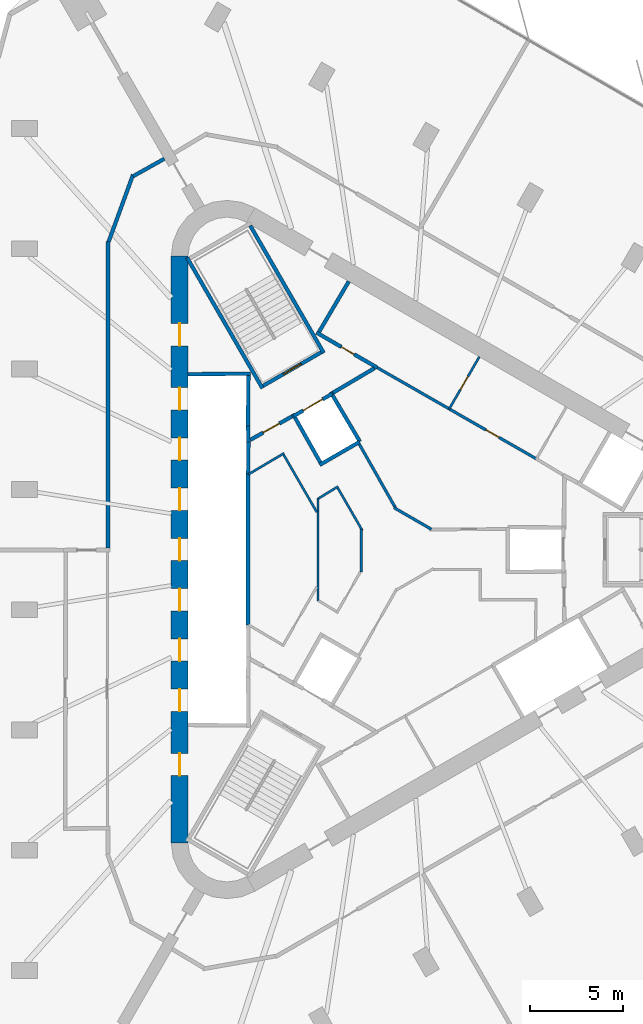
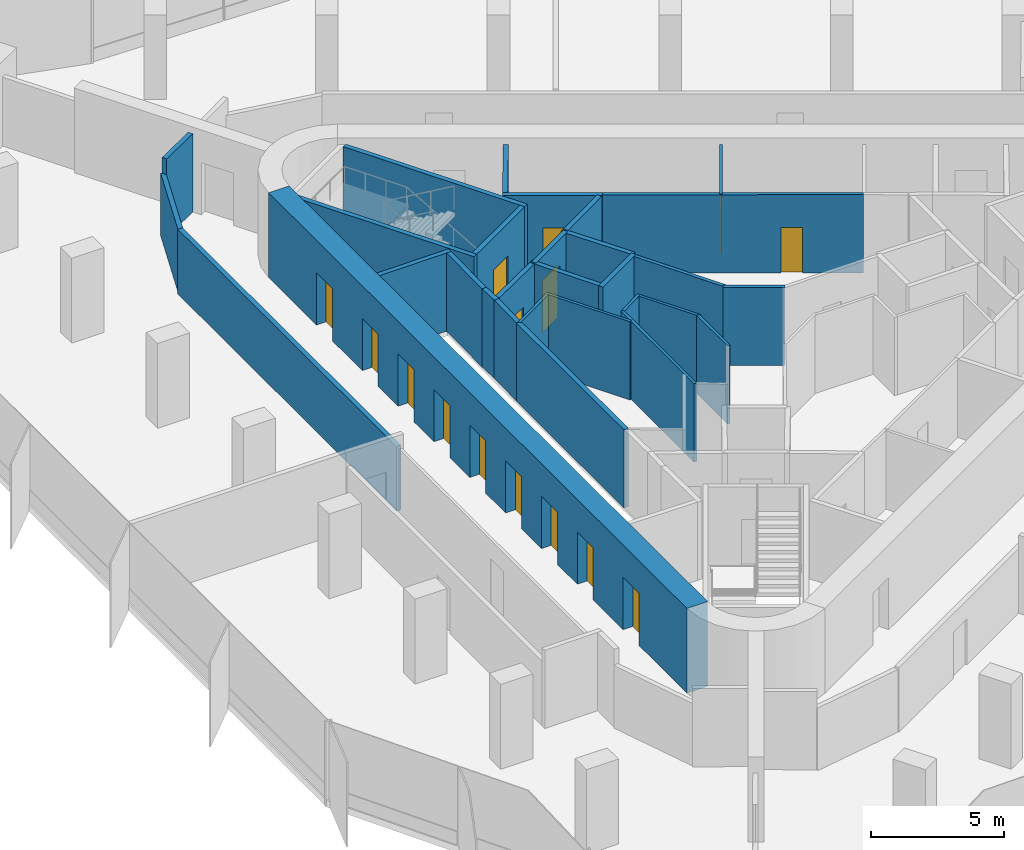
# One storey, part 9 of 12: 30 walls, 15 doors, 15 openings.
"""IFC4 building model written with IfcOpenShell, lengths in metres."""

from ifc_helpers import new_model, si_unit, direction, frame, frame_2d, origin, place, context, subcontext, project, spatial, rectangle, extrude, material, layer, layer_set, type_object, element, fill, save


model = new_model("IFC4")

# Units and contexts
model_context = context("Model", 3, precision=1e-05, world=origin(), true_north=direction((0.0, 1.0)))
body_context = subcontext(model_context, "Body", "Model", "MODEL_VIEW")
ifc_project = project(units=[si_unit("LENGTHUNIT", "METRE"), si_unit("AREAUNIT", "SQUARE_METRE"), si_unit("VOLUMEUNIT", "CUBIC_METRE"), si_unit("PLANEANGLEUNIT", "RADIAN"), si_unit("MASSUNIT", "GRAM", prefix="KILO")], contexts=[model_context])

# Site, building, storey
site_placement = place(None, origin())
site = spatial("IfcSite", under=ifc_project, at=site_placement, CompositionType="ELEMENT")
building_placement = place(site_placement, origin())
building = spatial("IfcBuilding", under=site, at=building_placement, Name="Tanit Gate Tower", CompositionType="ELEMENT")
storey_placement = place(building_placement, frame((0.0, 0.0, 333.800048828125)))
storey = spatial("IfcBuildingStorey", under=building, at=storey_placement, Name="L75", CompositionType="ELEMENT", Elevation=333.800048828125)

# Wall, openings, doors
ifc_material_1 = material(Name="Concrete C40/50", Category="concrete")
ifc_layer_1 = layer(ifc_material_1, 0.89990234375)
ifc_layer_set_1 = layer_set([ifc_layer_1], Name="CORE WALL 900 C40/50")
wall_type_1 = type_object("IfcWallType", Name="CORE WALL 900 C40/50", PredefinedType="SHEAR", material=ifc_layer_set_1)
wall_1_placement = place(storey_placement, frame((-11.64990234375, 15.76171875, 0.0), z_axis=(0.0, 0.0, 1.0), x_axis=(0.0, -1.0, 0.0)))
wall_1 = element("IfcWall", 1, at=wall_1_placement, inside=storey, type_object=wall_type_1, Name="CORE WALL", PredefinedType="SHEAR", context=body_context, shape_type="SweptSolid", body=[
    extrude(rectangle(XDim=31.5234375, YDim=0.89990234375, at=frame_2d((15.76171875, 0.0))), origin(), (0.0, 0.0, 1.0), 3.89990234375),
])
opening_1_placement = place(wall_1_placement, frame((7.061767578125, 0.0, 0.0)))
opening_1 = element("IfcOpeningElement", 2, at=opening_1_placement, cuts=wall_1, Name="Opening LDHL1-S21", PredefinedType="OPENING", context=body_context, shape_type="SweptSolid", body=[
    extrude(rectangle(XDim=1.199951171875, YDim=2.39990234375, at=frame_2d((0.60009765625, 1.199951171875))), frame((0.0, 0.4599609375, 0.0), z_axis=(0.0, -1.0, 0.0), x_axis=(1.0, 0.0, 0.0)), (0.0, 0.0, 1.0), 0.919921875),
])
opening_2_placement = place(wall_1_placement, frame((9.76171875, 0.0, 0.0)))
opening_2 = element("IfcOpeningElement", 3, at=opening_2_placement, cuts=wall_1, Name="Opening LDHL2-S21", PredefinedType="OPENING", context=body_context, shape_type="SweptSolid", body=[
    extrude(rectangle(XDim=1.199951171875, YDim=2.39990234375, at=frame_2d((0.60009765625, 1.199951171875))), frame((0.0, 0.4599609375, 0.0), z_axis=(0.0, -1.0, 0.0), x_axis=(1.0, 0.0, 0.0)), (0.0, 0.0, 1.0), 0.919921875),
])
opening_3_placement = place(wall_1_placement, frame((12.461669921875, 0.0, 0.0)))
opening_3 = element("IfcOpeningElement", 4, at=opening_3_placement, cuts=wall_1, Name="Opening LDHL3-S21", PredefinedType="OPENING", context=body_context, shape_type="SweptSolid", body=[
    extrude(rectangle(XDim=1.199951171875, YDim=2.39990234375, at=frame_2d((0.60009765625, 1.199951171875))), frame((0.0, 0.4599609375, 0.0), z_axis=(0.0, -1.0, 0.0), x_axis=(1.0, 0.0, 0.0)), (0.0, 0.0, 1.0), 0.919921875),
])
opening_4_placement = place(wall_1_placement, frame((15.16162109375, 0.0, 0.0)))
opening_4 = element("IfcOpeningElement", 5, at=opening_4_placement, cuts=wall_1, Name="Opening LDHL4-S21", PredefinedType="OPENING", context=body_context, shape_type="SweptSolid", body=[
    extrude(rectangle(XDim=1.199951171875, YDim=2.39990234375, at=frame_2d((0.60009765625, 1.199951171875))), frame((0.0, 0.4599609375, 0.0), z_axis=(0.0, -1.0, 0.0), x_axis=(1.0, 0.0, 0.0)), (0.0, 0.0, 1.0), 0.919921875),
])
opening_5_placement = place(wall_1_placement, frame((17.86181640625, 0.0, 0.0)))
opening_5 = element("IfcOpeningElement", 6, at=opening_5_placement, cuts=wall_1, Name="Opening LDHL5-S21", PredefinedType="OPENING", context=body_context, shape_type="SweptSolid", body=[
    extrude(rectangle(XDim=1.199951171875, YDim=2.39990234375, at=frame_2d((0.60009765625, 1.199951171875))), frame((0.0, 0.4599609375, 0.0), z_axis=(0.0, -1.0, 0.0), x_axis=(1.0, 0.0, 0.0)), (0.0, 0.0, 1.0), 0.919921875),
])
opening_6_placement = place(wall_1_placement, frame((20.561767578125, 0.0, 0.0)))
opening_6 = element("IfcOpeningElement", 7, at=opening_6_placement, cuts=wall_1, Name="Opening LDHL6-S21", PredefinedType="OPENING", context=body_context, shape_type="SweptSolid", body=[
    extrude(rectangle(XDim=1.199951171875, YDim=2.39990234375, at=frame_2d((0.60009765625, 1.199951171875))), frame((0.0, 0.4599609375, 0.0), z_axis=(0.0, -1.0, 0.0), x_axis=(1.0, 0.0, 0.0)), (0.0, 0.0, 1.0), 0.919921875),
])
opening_7_placement = place(wall_1_placement, frame((23.26171875, 0.0, 0.0)))
opening_7 = element("IfcOpeningElement", 8, at=opening_7_placement, cuts=wall_1, Name="Opening LDHL7-S21", PredefinedType="OPENING", context=body_context, shape_type="SweptSolid", body=[
    extrude(rectangle(XDim=1.199951171875, YDim=2.39990234375, at=frame_2d((0.60009765625, 1.199951171875))), frame((0.0, 0.4599609375, 0.0), z_axis=(0.0, -1.0, 0.0), x_axis=(1.0, 0.0, 0.0)), (0.0, 0.0, 1.0), 0.919921875),
])
opening_8_placement = place(wall_1_placement, frame((3.61181640625, 0.0, 0.0)))
opening_8 = element("IfcOpeningElement", 9, at=opening_8_placement, cuts=wall_1, Name="Opening F12-S21-FL2", PredefinedType="OPENING", context=body_context, shape_type="SweptSolid", body=[
    extrude(rectangle(XDim=1.199951171875, YDim=2.39990234375, at=frame_2d((0.60009765625, 1.199951171875))), frame((0.0, 0.4599609375, 0.0), z_axis=(0.0, -1.0, 0.0), x_axis=(1.0, 0.0, 0.0)), (0.0, 0.0, 1.0), 0.919921875),
])
opening_9_placement = place(wall_1_placement, frame((26.711669921875, 0.0, 0.0)))
opening_9 = element("IfcOpeningElement", 10, at=opening_9_placement, cuts=wall_1, Name="Opening F12-S21-S3", PredefinedType="OPENING", context=body_context, shape_type="SweptSolid", body=[
    extrude(rectangle(XDim=1.199951171875, YDim=2.39990234375, at=frame_2d((0.60009765625, 1.199951171875))), frame((0.0, 0.4599609375, 0.0), z_axis=(0.0, -1.0, 0.0), x_axis=(1.0, 0.0, 0.0)), (0.0, 0.0, 1.0), 0.919921875),
])
ifc_material_2 = material(Name="Fire-rated steel door leaf", Category="steel")
door_type_1 = type_object("IfcDoorType", Name="INT-DOOR-FIRE-LOBBY-1200", OperationType="NOTDEFINED", PredefinedType="USERDEFINED", material=ifc_material_2)
door_1_placement = place(opening_8_placement, origin())
door_1 = element("IfcDoor", 11, at=door_1_placement, inside=storey, type_object=door_type_1, Name="Door F12-S21-FL2", ObjectType="FIRE DOOR", OperationType="SINGLE_SWING_LEFT", OverallHeight=2.39990234375, OverallWidth=1.199951171875, PredefinedType="USERDEFINED", context=body_context, shape_type="SweptSolid", body=[
    extrude(rectangle(XDim=1.199951171875, YDim=2.39990234375, at=frame_2d((0.60009765625, 1.199951171875))), frame((0.0, 0.02490234375, 0.0), z_axis=(0.0, -1.0, 0.0), x_axis=(1.0, 0.0, 0.0)), (0.0, 0.0, 1.0), 0.050048828125),
])
fill(opening_8, door_1)
door_2_placement = place(opening_9_placement, origin())
door_2 = element("IfcDoor", 12, at=door_2_placement, inside=storey, type_object=door_type_1, Name="Door F12-S21-S3", ObjectType="FIRE DOOR", OperationType="SINGLE_SWING_LEFT", OverallHeight=2.39990234375, OverallWidth=1.199951171875, PredefinedType="USERDEFINED", context=body_context, shape_type="SweptSolid", body=[
    extrude(rectangle(XDim=1.199951171875, YDim=2.39990234375, at=frame_2d((0.60009765625, 1.199951171875))), frame((0.0, 0.02490234375, 0.0), z_axis=(0.0, -1.0, 0.0), x_axis=(1.0, 0.0, 0.0)), (0.0, 0.0, 1.0), 0.050048828125),
])
fill(opening_9, door_2)
ifc_material_3 = material(Name="Stainless steel sliding door leaf", Category="steel")
door_type_2 = type_object("IfcDoorType", Name="INT-DOOR-LANDING-1200", OperationType="NOTDEFINED", PredefinedType="USERDEFINED", material=ifc_material_3)
door_3_placement = place(opening_1_placement, origin())
door_3 = element("IfcDoor", 13, at=door_3_placement, inside=storey, type_object=door_type_2, Name="Door LDHL1-S21", ObjectType="LANDING DOOR", OperationType="SLIDING_TO_LEFT", OverallHeight=2.39990234375, OverallWidth=1.199951171875, PredefinedType="USERDEFINED", context=body_context, shape_type="SweptSolid", body=[
    extrude(rectangle(XDim=1.199951171875, YDim=2.39990234375, at=frame_2d((0.60009765625, 1.199951171875))), frame((0.0, 0.02490234375, 0.0), z_axis=(0.0, -1.0, 0.0), x_axis=(1.0, 0.0, 0.0)), (0.0, 0.0, 1.0), 0.050048828125),
])
fill(opening_1, door_3)
door_4_placement = place(opening_2_placement, origin())
door_4 = element("IfcDoor", 14, at=door_4_placement, inside=storey, type_object=door_type_2, Name="Door LDHL2-S21", ObjectType="LANDING DOOR", OperationType="SLIDING_TO_LEFT", OverallHeight=2.39990234375, OverallWidth=1.199951171875, PredefinedType="USERDEFINED", context=body_context, shape_type="SweptSolid", body=[
    extrude(rectangle(XDim=1.199951171875, YDim=2.39990234375, at=frame_2d((0.60009765625, 1.199951171875))), frame((0.0, 0.02490234375, 0.0), z_axis=(0.0, -1.0, 0.0), x_axis=(1.0, 0.0, 0.0)), (0.0, 0.0, 1.0), 0.050048828125),
])
fill(opening_2, door_4)
door_5_placement = place(opening_3_placement, origin())
door_5 = element("IfcDoor", 15, at=door_5_placement, inside=storey, type_object=door_type_2, Name="Door LDHL3-S21", ObjectType="LANDING DOOR", OperationType="SLIDING_TO_LEFT", OverallHeight=2.39990234375, OverallWidth=1.199951171875, PredefinedType="USERDEFINED", context=body_context, shape_type="SweptSolid", body=[
    extrude(rectangle(XDim=1.199951171875, YDim=2.39990234375, at=frame_2d((0.60009765625, 1.199951171875))), frame((0.0, 0.02490234375, 0.0), z_axis=(0.0, -1.0, 0.0), x_axis=(1.0, 0.0, 0.0)), (0.0, 0.0, 1.0), 0.050048828125),
])
fill(opening_3, door_5)
door_6_placement = place(opening_4_placement, origin())
door_6 = element("IfcDoor", 16, at=door_6_placement, inside=storey, type_object=door_type_2, Name="Door LDHL4-S21", ObjectType="LANDING DOOR", OperationType="SLIDING_TO_LEFT", OverallHeight=2.39990234375, OverallWidth=1.199951171875, PredefinedType="USERDEFINED", context=body_context, shape_type="SweptSolid", body=[
    extrude(rectangle(XDim=1.199951171875, YDim=2.39990234375, at=frame_2d((0.60009765625, 1.199951171875))), frame((0.0, 0.02490234375, 0.0), z_axis=(0.0, -1.0, 0.0), x_axis=(1.0, 0.0, 0.0)), (0.0, 0.0, 1.0), 0.050048828125),
])
fill(opening_4, door_6)
door_7_placement = place(opening_5_placement, origin())
door_7 = element("IfcDoor", 17, at=door_7_placement, inside=storey, type_object=door_type_2, Name="Door LDHL5-S21", ObjectType="LANDING DOOR", OperationType="SLIDING_TO_LEFT", OverallHeight=2.39990234375, OverallWidth=1.199951171875, PredefinedType="USERDEFINED", context=body_context, shape_type="SweptSolid", body=[
    extrude(rectangle(XDim=1.199951171875, YDim=2.39990234375, at=frame_2d((0.60009765625, 1.199951171875))), frame((0.0, 0.02490234375, 0.0), z_axis=(0.0, -1.0, 0.0), x_axis=(1.0, 0.0, 0.0)), (0.0, 0.0, 1.0), 0.050048828125),
])
fill(opening_5, door_7)
door_8_placement = place(opening_6_placement, origin())
door_8 = element("IfcDoor", 18, at=door_8_placement, inside=storey, type_object=door_type_2, Name="Door LDHL6-S21", ObjectType="LANDING DOOR", OperationType="SLIDING_TO_LEFT", OverallHeight=2.39990234375, OverallWidth=1.199951171875, PredefinedType="USERDEFINED", context=body_context, shape_type="SweptSolid", body=[
    extrude(rectangle(XDim=1.199951171875, YDim=2.39990234375, at=frame_2d((0.60009765625, 1.199951171875))), frame((0.0, 0.02490234375, 0.0), z_axis=(0.0, -1.0, 0.0), x_axis=(1.0, 0.0, 0.0)), (0.0, 0.0, 1.0), 0.050048828125),
])
fill(opening_6, door_8)
door_9_placement = place(opening_7_placement, origin())
door_9 = element("IfcDoor", 19, at=door_9_placement, inside=storey, type_object=door_type_2, Name="Door LDHL7-S21", ObjectType="LANDING DOOR", OperationType="SLIDING_TO_LEFT", OverallHeight=2.39990234375, OverallWidth=1.199951171875, PredefinedType="USERDEFINED", context=body_context, shape_type="SweptSolid", body=[
    extrude(rectangle(XDim=1.199951171875, YDim=2.39990234375, at=frame_2d((0.60009765625, 1.199951171875))), frame((0.0, 0.02490234375, 0.0), z_axis=(0.0, -1.0, 0.0), x_axis=(1.0, 0.0, 0.0)), (0.0, 0.0, 1.0), 0.050048828125),
])
fill(opening_7, door_9)

# Wall, opening, door
ifc_material_4 = material(Name="Fire-rated gypsum board partition")
ifc_layer_2 = layer(ifc_material_4, 0.199951171875)
ifc_layer_set_2 = layer_set([ifc_layer_2], Name="INT-WALL-COMPARTMENT")
wall_type_2 = type_object("IfcWallType", Name="INT-WALL-COMPARTMENT", PredefinedType="PARTITIONING", material=ifc_layer_set_2)
wall_2_placement = place(storey_placement, frame((-4.295654296875, 11.659912109375, 0.0), z_axis=(0.0, 0.0, 1.0), x_axis=(0.866027389382, -0.499996560828, 0.0)))
wall_2 = element("IfcWall", 20, at=wall_2_placement, inside=storey, type_object=wall_type_2, Name="Wall Compartment W049", PredefinedType="PARTITIONING", context=body_context, shape_type="SweptSolid", body=[
    extrude(rectangle(XDim=3.77783203125, YDim=0.199951171875, at=frame_2d((1.888916015625, 0.0))), origin(), (0.0, 0.0, 1.0), 3.599853515625),
])
opening_10_placement = place(wall_2_placement, frame((1.538818359375, 0.0, 0.0)))
opening_10 = element("IfcOpeningElement", 21, at=opening_10_placement, cuts=wall_2, Name="Opening R08-S21-16", PredefinedType="OPENING", context=body_context, shape_type="SweptSolid", body=[
    extrude(rectangle(XDim=0.800048828125, YDim=2.10009765625, at=frame_2d((0.39990234375, 1.050048828125))), frame((0.0, 0.10986328125, 0.0), z_axis=(0.0, -1.0, 0.0), x_axis=(1.0, 0.0, 0.0)), (0.0, 0.0, 1.0), 0.219970703125),
])
ifc_material_5 = material(Name="Timber door leaf", Category="wood")
door_type_3 = type_object("IfcDoorType", Name="INT-DOOR-RISER-800", OperationType="NOTDEFINED", PredefinedType="USERDEFINED", material=ifc_material_5)
door_10_placement = place(opening_10_placement, origin())
door_10 = element("IfcDoor", 22, at=door_10_placement, inside=storey, type_object=door_type_3, Name="Door R08-S21-16", ObjectType="FIRE DOOR", OperationType="SINGLE_SWING_LEFT", OverallHeight=2.10009765625, OverallWidth=0.800048828125, PredefinedType="USERDEFINED", context=body_context, shape_type="SweptSolid", body=[
    extrude(rectangle(XDim=0.800048828125, YDim=2.10009765625, at=frame_2d((0.39990234375, 1.050048828125))), frame((0.0, 0.02490234375, 0.0), z_axis=(0.0, -1.0, 0.0), x_axis=(1.0, 0.0, 0.0)), (0.0, 0.0, 1.0), 0.050048828125),
])
fill(opening_10, door_10)

# Walls
wall_3_placement = place(storey_placement, frame((-2.557861328125, 14.409423828125, 0.0), z_axis=(0.0, 0.0, 1.0), x_axis=(-0.508018930956, -0.861345903683, 0.0)))
element("IfcWall", 23, at=wall_3_placement, inside=storey, type_object=wall_type_2, Name="Wall Compartment W050", PredefinedType="PARTITIONING", context=body_context, shape_type="SweptSolid", body=[
    extrude(rectangle(XDim=3.150146484375, YDim=0.199951171875, at=frame_2d((1.5751953125, 0.0))), origin(), (0.0, 0.0, 1.0), 3.599853515625),
])
wall_4_placement = place(storey_placement, frame((-1.1787109375, 9.744873046875, 0.0), z_axis=(0.0, 0.0, 1.0), x_axis=(-0.860630814782, -0.509229418482, 0.0)))
element("IfcWall", 24, at=wall_4_placement, inside=storey, type_object=wall_type_2, Name="Wall Compartment W061", PredefinedType="PARTITIONING", context=body_context, shape_type="SweptSolid", body=[
    extrude(rectangle(XDim=2.581787109375, YDim=0.199951171875, at=frame_2d((1.291015625, 0.0))), origin(), (0.0, 0.0, 1.0), 3.599853515625),
])

# Wall, opening, door
wall_5_placement = place(storey_placement, frame((-5.600341796875, 7.16015625, 0.0), z_axis=(0.0, 0.0, 1.0), x_axis=(-0.871363259478, -0.490638431059, 0.0)))
wall_5 = element("IfcWall", 25, at=wall_5_placement, inside=storey, type_object=wall_type_2, Name="Wall Compartment W062", PredefinedType="PARTITIONING", context=body_context, shape_type="SweptSolid", body=[
    extrude(rectangle(XDim=2.5810546875, YDim=0.199951171875, at=frame_2d((1.29052734375, 0.0))), origin(), (0.0, 0.0, 1.0), 3.599853515625),
])
opening_11_placement = place(wall_5_placement, frame((0.79052734375, 0.0, 0.0)))
opening_11 = element("IfcOpeningElement", 26, at=opening_11_placement, cuts=wall_5, Name="Opening F10-S21-05", PredefinedType="OPENING", context=body_context, shape_type="SweptSolid", body=[
    extrude(rectangle(XDim=1.0, YDim=2.10009765625, at=frame_2d((0.5, 1.050048828125))), frame((0.0, 0.10986328125, 0.0), z_axis=(0.0, -1.0, 0.0), x_axis=(1.0, 0.0, 0.0)), (0.0, 0.0, 1.0), 0.219970703125),
])
ifc_material_6 = material(Name="Fire-rated steel door leaf", Category="steel")
door_type_4 = type_object("IfcDoorType", Name="INT-DOOR-FIRE-1000", OperationType="NOTDEFINED", PredefinedType="USERDEFINED", material=ifc_material_6)
door_11_placement = place(opening_11_placement, origin())
door_11 = element("IfcDoor", 27, at=door_11_placement, inside=storey, type_object=door_type_4, Name="Door F10-S21-05", ObjectType="FIRE DOOR", OperationType="SINGLE_SWING_RIGHT", OverallHeight=2.10009765625, OverallWidth=1.0, PredefinedType="USERDEFINED", context=body_context, shape_type="SweptSolid", body=[
    extrude(rectangle(XDim=1.0, YDim=2.10009765625, at=frame_2d((0.5, 1.050048828125))), frame((0.0, 0.02490234375, 0.0), z_axis=(0.0, -1.0, 0.0), x_axis=(1.0, 0.0, 0.0)), (0.0, 0.0, 1.0), 0.050048828125),
])
fill(opening_11, door_11)

# Walls
wall_6_placement = place(storey_placement, frame((-15.5, 16.54052734375, 0.0), z_axis=(0.0, 0.0, 1.0), x_axis=(0.0, -1.0, 0.0)))
element("IfcWall", 28, at=wall_6_placement, inside=storey, type_object=wall_type_2, Name="Wall Compartment W091", PredefinedType="PARTITIONING", context=body_context, shape_type="SweptSolid", body=[
    extrude(rectangle(XDim=16.470458984375, YDim=0.199951171875, at=frame_2d((8.2353515625, 0.0))), origin(), (0.0, 0.0, 1.0), 2.969970703125),
])
wall_7_placement = place(storey_placement, frame((-14.15234375, 20.143310546875, 0.0), z_axis=(0.0, 0.0, 1.0), x_axis=(-0.342008467257, -0.939696870445, 0.0)))
element("IfcWall", 29, at=wall_7_placement, inside=storey, type_object=wall_type_2, Name="Wall Compartment W092", PredefinedType="PARTITIONING", context=body_context, shape_type="SweptSolid", body=[
    extrude(rectangle(XDim=3.840576171875, YDim=0.199951171875, at=frame_2d((1.92041015625, 0.0))), origin(), (0.0, 0.0, 1.0), 2.8798828125),
])
wall_8_placement = place(storey_placement, frame((-12.469970703125, 20.99853515625, 0.0), z_axis=(0.0, 0.0, 1.0), x_axis=(-0.872542788959, -0.488537697046, 0.0)))
element("IfcWall", 30, at=wall_8_placement, inside=storey, type_object=wall_type_2, Name="Wall Compartment W093", PredefinedType="PARTITIONING", context=body_context, shape_type="SweptSolid", body=[
    extrude(rectangle(XDim=1.924560546875, YDim=0.199951171875, at=frame_2d((0.96240234375, 0.0))), origin(), (0.0, 0.0, 1.0), 3.599853515625),
])

# Wall, opening, door
ifc_material_7 = material(Name="Gypsum board partition")
ifc_layer_3 = layer(ifc_material_7, 0.1201171875)
ifc_layer_set_3 = layer_set([ifc_layer_3], Name="INT-WALL-PARTITION")
wall_type_3 = type_object("IfcWallType", Name="INT-WALL-PARTITION", PredefinedType="PARTITIONING", material=ifc_layer_set_3)
wall_9_placement = place(storey_placement, frame((2.831787109375, 7.544921875, 0.0), z_axis=(0.0, 0.0, 1.0), x_axis=(0.500017246033, 0.866015446554, 0.0)))
wall_9 = element("IfcWall", 31, at=wall_9_placement, inside=storey, type_object=wall_type_3, Name="Wall Partition W047", PredefinedType="PARTITIONING", context=body_context, shape_type="SweptSolid", body=[
    extrude(rectangle(XDim=3.25, YDim=0.1201171875, at=frame_2d((1.625, 0.0))), origin(), (0.0, 0.0, 1.0), 3.599853515625),
])
opening_12_placement = place(wall_9_placement, frame((1.22509765625, 0.0, 0.0)))
opening_12 = element("IfcOpeningElement", 32, at=opening_12_placement, cuts=wall_9, Name="Opening R08-S21-15", PredefinedType="OPENING", context=body_context, shape_type="SweptSolid", body=[
    extrude(rectangle(XDim=0.800048828125, YDim=2.10009765625, at=frame_2d((0.39990234375, 1.050048828125))), frame((0.0, 0.070068359375, 0.0), z_axis=(0.0, -1.0, 0.0), x_axis=(1.0, 0.0, 0.0)), (0.0, 0.0, 1.0), 0.14013671875),
])
door_12_placement = place(opening_12_placement, origin())
door_12 = element("IfcDoor", 33, at=door_12_placement, inside=storey, type_object=door_type_3, Name="Door R08-S21-15", ObjectType="FIRE DOOR", OperationType="SINGLE_SWING_LEFT", OverallHeight=2.10009765625, OverallWidth=0.800048828125, PredefinedType="USERDEFINED", context=body_context, shape_type="SweptSolid", body=[
    extrude(rectangle(XDim=0.800048828125, YDim=2.10009765625, at=frame_2d((0.39990234375, 1.050048828125))), frame((0.0, 0.02490234375, 0.0), z_axis=(0.0, -1.0, 0.0), x_axis=(1.0, 0.0, 0.0)), (0.0, 0.0, 1.0), 0.050048828125),
])
fill(opening_12, door_12)

# Walls
wall_10_placement = place(storey_placement, frame((-4.21875, -2.760498046875, 0.0), z_axis=(0.0, 0.0, 1.0), x_axis=(0.0, 1.0, 0.0)))
element("IfcWall", 34, at=wall_10_placement, inside=storey, type_object=wall_type_3, Name="Wall Partition W074", PredefinedType="PARTITIONING", context=body_context, shape_type="SweptSolid", body=[
    extrude(rectangle(XDim=5.52099609375, YDim=0.1201171875, at=frame_2d((2.760498046875, 0.0))), origin(), (0.0, 0.0, 1.0), 3.599853515625),
])
wall_11_placement = place(storey_placement, frame((-6.03662109375, 5.17578125, 0.0), z_axis=(0.0, 0.0, 1.0), x_axis=(-0.860106072674, -0.510115225953, 0.0)))
element("IfcWall", 35, at=wall_11_placement, inside=storey, type_object=wall_type_3, Name="Wall Partition W077", PredefinedType="PARTITIONING", context=body_context, shape_type="SweptSolid", body=[
    extrude(rectangle(XDim=2.224609375, YDim=0.1201171875, at=frame_2d((1.1123046875, 0.0))), origin(), (0.0, 0.0, 1.0), 3.599853515625),
])
wall_12_placement = place(storey_placement, frame((-4.27880859375, 2.01123046875, 0.0), z_axis=(0.0, 0.0, 1.0), x_axis=(-0.500027278734, 0.866009653827, 0.0)))
element("IfcWall", 36, at=wall_12_placement, inside=storey, type_object=wall_type_3, Name="Wall Partition W078", PredefinedType="PARTITIONING", context=body_context, shape_type="SweptSolid", body=[
    extrude(rectangle(XDim=3.558837890625, YDim=0.1201171875, at=frame_2d((1.779296875, 0.0))), origin(), (0.0, 0.0, 1.0), 3.599853515625),
])
wall_13_placement = place(storey_placement, frame((-3.1298828125, 3.390869140625, 0.0), z_axis=(0.0, 0.0, 1.0), x_axis=(-0.853228335638, -0.521537541567, 0.0)))
element("IfcWall", 37, at=wall_13_placement, inside=storey, type_object=wall_type_3, Name="Wall Partition W079", PredefinedType="PARTITIONING", context=body_context, shape_type="SweptSolid", body=[
    extrude(rectangle(XDim=1.240966796875, YDim=0.1201171875, at=frame_2d((0.62060546875, 0.0))), origin(), (0.0, 0.0, 1.0), 3.599853515625),
])
wall_14_placement = place(storey_placement, frame((-1.83154296875, 1.0224609375, 0.0), z_axis=(0.0, 0.0, 1.0), x_axis=(-0.500000102728, 0.866025344474, 0.0)))
element("IfcWall", 38, at=wall_14_placement, inside=storey, type_object=wall_type_3, Name="Wall Partition W080", PredefinedType="PARTITIONING", context=body_context, shape_type="SweptSolid", body=[
    extrude(rectangle(XDim=2.638671875, YDim=0.1201171875, at=frame_2d((1.3193359375, 0.0))), origin(), (0.0, 0.0, 1.0), 3.599853515625),
])
wall_15_placement = place(storey_placement, frame((-1.883544921875, -1.21630859375, 0.0), z_axis=(0.0, 0.0, 1.0), x_axis=(0.0, 1.0, 0.0)))
element("IfcWall", 39, at=wall_15_placement, inside=storey, type_object=wall_type_3, Name="Wall Partition W081", PredefinedType="PARTITIONING", context=body_context, shape_type="SweptSolid", body=[
    extrude(rectangle(XDim=2.310302734375, YDim=0.1201171875, at=frame_2d((1.1552734375, 0.0))), origin(), (0.0, 0.0, 1.0), 3.599853515625),
])

# Wall, opening, door
ifc_material_8 = material(Name="Fire-rated gypsum board partition")
ifc_layer_4 = layer(ifc_material_8, 0.14990234375)
ifc_layer_set_4 = layer_set([ifc_layer_4], Name="INT-WALL-RISER")
wall_type_4 = type_object("IfcWallType", Name="INT-WALL-RISER", PredefinedType="PLUMBINGWALL", material=ifc_layer_set_4)
wall_16_placement = place(storey_placement, frame((7.497314453125, 4.885986328125, 0.0), z_axis=(0.0, 0.0, 1.0), x_axis=(-0.867541725638, 0.497364407931, 0.0)))
wall_16 = element("IfcWall", 40, at=wall_16_placement, inside=storey, type_object=wall_type_4, Name="Wall Riser W048", PredefinedType="PLUMBINGWALL", context=body_context, shape_type="SweptSolid", body=[
    extrude(rectangle(XDim=9.822265625, YDim=0.14990234375, at=frame_2d((4.9111328125, 0.0))), origin(), (0.0, 0.0, 1.0), 3.599853515625),
])
opening_13_placement = place(wall_16_placement, frame((2.300048828125, 0.0, 0.0)))
opening_13 = element("IfcOpeningElement", 41, at=opening_13_placement, cuts=wall_16, Name="Opening R08-S21-20", PredefinedType="OPENING", context=body_context, shape_type="SweptSolid", body=[
    extrude(rectangle(XDim=0.800048828125, YDim=2.10009765625, at=frame_2d((0.39990234375, 1.050048828125))), frame((0.0, 0.0849609375, 0.0), z_axis=(0.0, -1.0, 0.0), x_axis=(1.0, 0.0, 0.0)), (0.0, 0.0, 1.0), 0.169921875),
])
door_13_placement = place(opening_13_placement, origin())
door_13 = element("IfcDoor", 42, at=door_13_placement, inside=storey, type_object=door_type_3, Name="Door R08-S21-20", ObjectType="FIRE DOOR", OperationType="SINGLE_SWING_LEFT", OverallHeight=2.10009765625, OverallWidth=0.800048828125, PredefinedType="USERDEFINED", context=body_context, shape_type="SweptSolid", body=[
    extrude(rectangle(XDim=0.800048828125, YDim=2.10009765625, at=frame_2d((0.39990234375, 1.050048828125))), frame((0.0, 0.02490234375, 0.0), z_axis=(0.0, -1.0, 0.0), x_axis=(1.0, 0.0, 0.0)), (0.0, 0.0, 1.0), 0.050048828125),
])
fill(opening_13, door_13)

# Walls
wall_17_placement = place(storey_placement, frame((-0.13232421875, 2.25146484375, 0.0), z_axis=(0.0, 0.0, 1.0), x_axis=(0.866028486751, -0.499994660107, 0.0)))
element("IfcWall", 43, at=wall_17_placement, inside=storey, type_object=wall_type_4, Name="Wall Riser W066", PredefinedType="PLUMBINGWALL", context=body_context, shape_type="SweptSolid", body=[
    extrude(rectangle(XDim=2.3291015625, YDim=0.14990234375, at=frame_2d((1.16455078125, 0.0))), origin(), (0.0, 0.0, 1.0), 3.599853515625),
])
wall_18_placement = place(storey_placement, frame((-1.994140625, 5.661376953125, 0.0), z_axis=(0.0, 0.0, 1.0), x_axis=(0.493780191404, -0.869586753911, 0.0)))
element("IfcWall", 44, at=wall_18_placement, inside=storey, type_object=wall_type_4, Name="Wall Riser W067", PredefinedType="PLUMBINGWALL", context=body_context, shape_type="SweptSolid", body=[
    extrude(rectangle(XDim=3.97119140625, YDim=0.14990234375, at=frame_2d((1.985595703125, 0.0))), origin(), (0.0, 0.0, 1.0), 3.599853515625),
])
ifc_material_9 = material(Name="Gypsum shaft wall system")
ifc_layer_5 = layer(ifc_material_9, 0.199951171875)
ifc_layer_set_5 = layer_set([ifc_layer_5], Name="INT-WALL-SHAFT")
wall_type_5 = type_object("IfcWallType", Name="INT-WALL-SHAFT", PredefinedType="PLUMBINGWALL", material=ifc_layer_set_5)
wall_19_placement = place(storey_placement, frame((-11.199951171875, 9.419921875, 0.0), z_axis=(0.0, 0.0, 1.0), x_axis=(0.999957167047, 0.009255488683, 0.0)))
element("IfcWall", 45, at=wall_19_placement, inside=storey, type_object=wall_type_5, Name="Wall Shaft W001", PredefinedType="PLUMBINGWALL", context=body_context, shape_type="SweptSolid", body=[
    extrude(rectangle(XDim=3.35009765625, YDim=0.199951171875, at=frame_2d((1.675048828125, 0.0))), origin(), (0.0, 0.0, 1.0), 3.599853515625),
])
wall_20_placement = place(storey_placement, frame((-7.951171875, 9.35009765625, 0.0), z_axis=(0.0, 0.0, 1.0), x_axis=(-0.011120469654, -0.999938165666, 0.0)))
element("IfcWall", 46, at=wall_20_placement, inside=storey, type_object=wall_type_5, Name="Wall Shaft W002", PredefinedType="PLUMBINGWALL", context=body_context, shape_type="SweptSolid", body=[
    extrude(rectangle(XDim=2.700439453125, YDim=0.199951171875, at=frame_2d((1.35009765625, 0.0))), origin(), (0.0, 0.0, 1.0), 3.599853515625),
])
wall_21_placement = place(storey_placement, frame((-7.97705078125, 6.650146484375, 0.0), z_axis=(0.0, 0.0, 1.0), x_axis=(0.030861509705, -0.999523670164, 0.0)))
element("IfcWall", 47, at=wall_21_placement, inside=storey, type_object=wall_type_5, Name="Wall Shaft W003", PredefinedType="PLUMBINGWALL", context=body_context, shape_type="SweptSolid", body=[
    extrude(rectangle(XDim=0.878173828125, YDim=0.199951171875, at=frame_2d((0.43896484375, 0.0))), origin(), (0.0, 0.0, 1.0), 3.599853515625),
])
wall_22_placement = place(storey_placement, frame((-7.94921875, 5.894775390625, 0.0), z_axis=(0.0, 0.0, 1.0), x_axis=(-0.012042535896, -0.999927486035, 0.0)))
element("IfcWall", 48, at=wall_22_placement, inside=storey, type_object=wall_type_5, Name="Wall Shaft W004", PredefinedType="PLUMBINGWALL", context=body_context, shape_type="SweptSolid", body=[
    extrude(rectangle(XDim=1.844970703125, YDim=0.199951171875, at=frame_2d((0.92236328125, 0.0))), origin(), (0.0, 0.0, 1.0), 3.599853515625),
])
wall_23_placement = place(storey_placement, frame((-7.97998046875, 4.050048828125, 0.0), z_axis=(0.0, 0.0, 1.0), x_axis=(0.0, -1.0, 0.0)))
element("IfcWall", 49, at=wall_23_placement, inside=storey, type_object=wall_type_5, Name="Wall Shaft W005", PredefinedType="PLUMBINGWALL", context=body_context, shape_type="SweptSolid", body=[
    extrude(rectangle(XDim=8.10009765625, YDim=0.199951171875, at=frame_2d((4.050048828125, 0.0))), origin(), (0.0, 0.0, 1.0), 3.599853515625),
])

# Wall, opening, door
wall_24_placement = place(storey_placement, frame((-5.524169921875, 7.168212890625, 0.0), z_axis=(0.0, 0.0, 1.0), x_axis=(0.866024647952, 0.500001309137, 0.0)))
wall_24 = element("IfcWall", 50, at=wall_24_placement, inside=storey, type_object=wall_type_5, Name="Wall Shaft W032", PredefinedType="PLUMBINGWALL", context=body_context, shape_type="SweptSolid", body=[
    extrude(rectangle(XDim=2.39990234375, YDim=0.199951171875, at=frame_2d((1.199951171875, 0.0))), origin(), (0.0, 0.0, 1.0), 3.599853515625),
])
opening_14_placement = place(wall_24_placement, frame((0.60009765625, 0.0, 0.0)))
opening_14 = element("IfcOpeningElement", 51, at=opening_14_placement, cuts=wall_24, Name="Opening LDFL2-L75", PredefinedType="OPENING", context=body_context, shape_type="SweptSolid", body=[
    extrude(rectangle(XDim=1.199951171875, YDim=2.39990234375, at=frame_2d((0.60009765625, 1.199951171875))), frame((0.0, 0.10986328125, 0.0), z_axis=(0.0, -1.0, 0.0), x_axis=(1.0, 0.0, 0.0)), (0.0, 0.0, 1.0), 0.219970703125),
])
door_14_placement = place(opening_14_placement, origin())
door_14 = element("IfcDoor", 52, at=door_14_placement, inside=storey, type_object=door_type_2, Name="Door LDFL2-L75", ObjectType="LANDING DOOR", OperationType="SLIDING_TO_LEFT", OverallHeight=2.39990234375, OverallWidth=1.199951171875, PredefinedType="USERDEFINED", context=body_context, shape_type="SweptSolid", body=[
    extrude(rectangle(XDim=1.199951171875, YDim=2.39990234375, at=frame_2d((0.60009765625, 1.199951171875))), frame((0.0, 0.02490234375, 0.0), z_axis=(0.0, -1.0, 0.0), x_axis=(1.0, 0.0, 0.0)), (0.0, 0.0, 1.0), 0.050048828125),
])
fill(opening_14, door_14)

# Walls
wall_25_placement = place(storey_placement, frame((-3.53759765625, 8.46533203125, 0.0), z_axis=(0.0, 0.0, 1.0), x_axis=(0.508647062354, -0.860975125052, 0.0)))
element("IfcWall", 53, at=wall_25_placement, inside=storey, type_object=wall_type_5, Name="Wall Shaft W033", PredefinedType="PLUMBINGWALL", context=body_context, shape_type="SweptSolid", body=[
    extrude(rectangle(XDim=3.10009765625, YDim=0.199951171875, at=frame_2d((1.550048828125, 0.0))), origin(), (0.0, 0.0, 1.0), 3.599853515625),
])
wall_26_placement = place(storey_placement, frame((-1.978515625, 5.785888671875, 0.0), z_axis=(0.0, 0.0, 1.0), x_axis=(-0.866016689309, -0.500015093611, 0.0)))
element("IfcWall", 54, at=wall_26_placement, inside=storey, type_object=wall_type_5, Name="Wall Shaft W034", PredefinedType="PLUMBINGWALL", context=body_context, shape_type="SweptSolid", body=[
    extrude(rectangle(XDim=2.4794921875, YDim=0.199951171875, at=frame_2d((1.23974609375, 0.0))), origin(), (0.0, 0.0, 1.0), 3.599853515625),
])
wall_27_placement = place(storey_placement, frame((-5.5625, 7.29638671875, 0.0), z_axis=(0.0, 0.0, 1.0), x_axis=(0.49134651263, -0.870964180966, 0.0)))
element("IfcWall", 55, at=wall_27_placement, inside=storey, type_object=wall_type_5, Name="Wall Shaft W035", PredefinedType="PLUMBINGWALL", context=body_context, shape_type="SweptSolid", body=[
    extrude(rectangle(XDim=3.000244140625, YDim=0.199951171875, at=frame_2d((1.5, 0.0))), origin(), (0.0, 0.0, 1.0), 3.599853515625),
])
ifc_material_10 = material(Name="Concrete C40/50", Category="concrete")
ifc_layer_6 = layer(ifc_material_10, 0.199951171875)
ifc_layer_set_6 = layer_set([ifc_layer_6], Name="INT-WALL-STAIR")
wall_type_6 = type_object("IfcWallType", Name="INT-WALL-STAIR", PredefinedType="SHEAR", material=ifc_layer_set_6)
wall_28_placement = place(storey_placement, frame((-11.245361328125, 15.677734375, -0.300048828125), z_axis=(0.0, 0.0, 1.0), x_axis=(0.499977274689, -0.866038523851, 0.0)))
element("IfcWall", 56, at=wall_28_placement, inside=storey, type_object=wall_type_6, Name="Wall Stair W028", PredefinedType="SHEAR", context=body_context, shape_type="SweptSolid", body=[
    extrude(rectangle(XDim=8.10009765625, YDim=0.199951171875, at=frame_2d((4.050048828125, 0.0))), origin(), (0.0, 0.0, 1.0), 3.89990234375),
])
wall_29_placement = place(storey_placement, frame((-7.8544921875, 17.404541015625, -0.300048828125), z_axis=(0.0, 0.0, 1.0), x_axis=(0.499997992926, -0.866026562566, 0.0)))
element("IfcWall", 57, at=wall_29_placement, inside=storey, type_object=wall_type_6, Name="Wall Stair W030", PredefinedType="SHEAR", context=body_context, shape_type="SweptSolid", body=[
    extrude(rectangle(XDim=7.89990234375, YDim=0.199951171875, at=frame_2d((3.949951171875, 0.0))), origin(), (0.0, 0.0, 1.0), 3.89990234375),
])

# Wall, opening, door
wall_30_placement = place(storey_placement, frame((-7.158935546875, 8.799560546875, -0.300048828125), z_axis=(0.0, 0.0, 1.0), x_axis=(0.866047807691, 0.499961193289, 0.0)))
wall_30 = element("IfcWall", 58, at=wall_30_placement, inside=storey, type_object=wall_type_6, Name="Wall Stair W031", PredefinedType="SHEAR", context=body_context, shape_type="SweptSolid", body=[
    extrude(rectangle(XDim=3.599853515625, YDim=0.199951171875, at=frame_2d((1.7998046875, 0.0))), origin(), (0.0, 0.0, 1.0), 3.89990234375),
])
opening_15_placement = place(wall_30_placement, frame((1.25, 0.0, 0.300048828125)))
opening_15 = element("IfcOpeningElement", 59, at=opening_15_placement, cuts=wall_30, Name="Opening S11-S21-04", PredefinedType="OPENING", context=body_context, shape_type="SweptSolid", body=[
    extrude(rectangle(XDim=1.10009765625, YDim=2.10009765625, at=frame_2d((0.550048828125, 1.050048828125))), frame((0.0, 0.10986328125, 0.0), z_axis=(0.0, -1.0, 0.0), x_axis=(1.0, 0.0, 0.0)), (0.0, 0.0, 1.0), 0.219970703125),
])
ifc_material_11 = material(Name="Timber door leaf", Category="wood")
door_type_5 = type_object("IfcDoorType", Name="INT-DOOR-STAIR-1100", OperationType="NOTDEFINED", PredefinedType="USERDEFINED", material=ifc_material_11)
door_15_placement = place(opening_15_placement, origin())
door_15 = element("IfcDoor", 60, at=door_15_placement, inside=storey, type_object=door_type_5, Name="Door S11-S21-04", ObjectType="FIRE DOOR", OperationType="SINGLE_SWING_LEFT", OverallHeight=2.10009765625, OverallWidth=1.10009765625, PredefinedType="USERDEFINED", context=body_context, shape_type="SweptSolid", body=[
    extrude(rectangle(XDim=1.10009765625, YDim=2.10009765625, at=frame_2d((0.550048828125, 1.050048828125))), frame((0.0, 0.02490234375, 0.0), z_axis=(0.0, -1.0, 0.0), x_axis=(1.0, 0.0, 0.0)), (0.0, 0.0, 1.0), 0.050048828125),
])
fill(opening_15, door_15)

save(model, "model.ifc")
